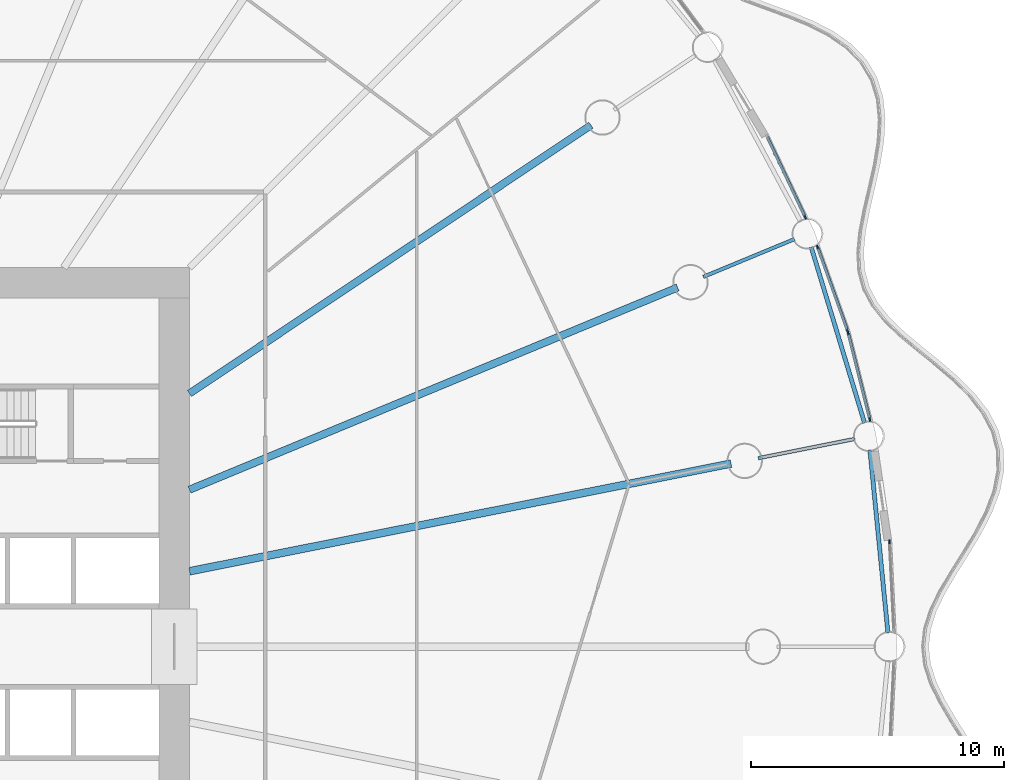
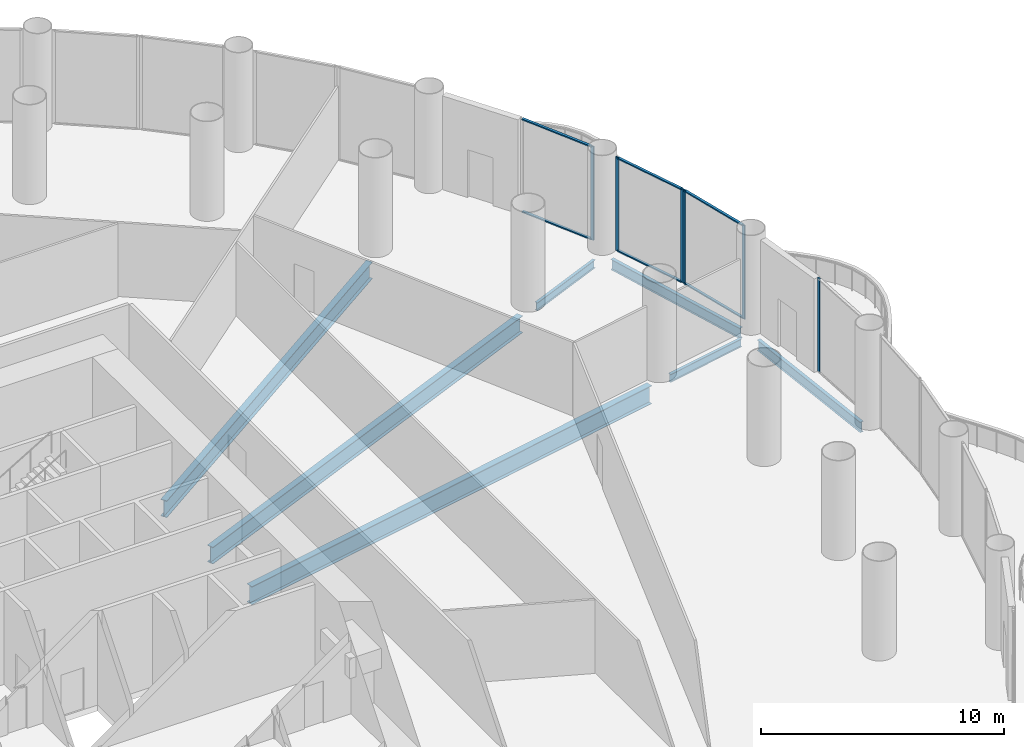
# One storey, part 13 of 35: 12 members, 7 beams, 4 elements without a shape of their own.
"""IFC4 building model written with IfcOpenShell, lengths in metres."""

from ifc_helpers import new_model, si_unit, direction, frame, origin, origin_2d, place, context, subcontext, project, spatial, rectangle, i_section, extrude, material, material_profile, profile_set, type_object, element, aggregate, save


model = new_model("IFC4")

# Units and contexts
model_context = context("Model", 3, precision=1e-05, world=origin(), true_north=direction((0.0, 1.0)))
body_context = subcontext(model_context, "Body", "Model", "MODEL_VIEW")
ifc_project = project(units=[si_unit("LENGTHUNIT", "METRE"), si_unit("AREAUNIT", "SQUARE_METRE"), si_unit("VOLUMEUNIT", "CUBIC_METRE"), si_unit("PLANEANGLEUNIT", "RADIAN"), si_unit("MASSUNIT", "GRAM", prefix="KILO")], contexts=[model_context])

# Site, building, storey
site_placement = place(None, origin())
site = spatial("IfcSite", under=ifc_project, at=site_placement, CompositionType="ELEMENT")
building_placement = place(site_placement, origin())
building = spatial("IfcBuilding", under=site, at=building_placement, Name="Corvane Civic Tower", CompositionType="ELEMENT")
storey_placement = place(building_placement, frame((0.0, 0.0, 22.0)))
storey = spatial("IfcBuildingStorey", under=building, at=storey_placement, Name="L04", CompositionType="ELEMENT", Elevation=22.0)

# Beams
ifc_material_1 = material(Name="Steel ASTM A992 Gr 50", Category="steel")
ifc_material_profile_1 = material_profile(ifc_material_1, i_section(OverallWidth=0.165771484375, OverallDepth=0.5283203125, WebThickness=0.009765625, FlangeThickness=0.013671875, at=origin_2d()), Name="W21X50")
ifc_profile_set_1 = profile_set([ifc_material_profile_1], Name="Steel ASTM A992 Gr 50")
beam_type_1 = type_object("IfcBeamType", Name="EDGE BEAM W21X50", PredefinedType="BEAM", material=ifc_profile_set_1)
for number, where, z_axis, x_axis, name in (
    (1, (39.609375, 15.814208984375, -0.564208984375), (0.290291633127, -0.956938225664, 0.0), (0.956938225664, 0.290291633127, 0.0), "BM-L04-E07"),
    (2, (41.93359375, 7.782958984375, -0.564208984375), (0.097984225478, -0.995187967953, 0.0), (0.995187967953, 0.097984225478, 0.0), "BM-L04-E08"),
):
    element("IfcBeam", number, at=place(storey_placement, frame(where, z_axis=z_axis, x_axis=x_axis)), inside=storey, type_object=beam_type_1, Name=name, PredefinedType="BEAM", context=body_context, shape_type="SweptSolid", body=[
        extrude(i_section(OverallWidth=0.165771484375, OverallDepth=0.5283203125, WebThickness=0.009765625, FlangeThickness=0.013671875, at=origin_2d()), origin(), (0.0, 0.0, 1.0), 7.2705078125),
    ])
ifc_material_2 = material(Name="Steel ASTM A992 Gr 50", Category="steel")
ifc_material_profile_2 = material_profile(ifc_material_2, i_section(OverallWidth=0.140380859375, OverallDepth=0.40380859375, WebThickness=0.007080078125, FlangeThickness=0.01123046875, at=origin_2d()), Name="W16X31")
ifc_profile_set_2 = profile_set([ifc_material_profile_2], Name="Steel ASTM A992 Gr 50")
beam_type_2 = type_object("IfcBeamType", Name="FLOOR GIRDER W16X31", PredefinedType="BEAM", material=ifc_profile_set_2)
for number, where, z_axis, x_axis, name in (
    (3, (35.33837890625, 14.6376953125, -0.501953125), (0.923878730261, 0.382685369162, 0.0), (-0.382685369162, 0.923878730261, 0.0), "BM-L04-G07b"),
    (4, (37.51513671875, 7.462158203125, -0.501953125), (0.980777614264, 0.195128858343, 0.0), (-0.195128858343, 0.980777614264, 0.0), "BM-L04-G08b"),
):
    element("IfcBeam", number, at=place(storey_placement, frame(where, z_axis=z_axis, x_axis=x_axis)), inside=storey, type_object=beam_type_2, Name=name, PredefinedType="BEAM", context=body_context, shape_type="SweptSolid", body=[
        extrude(i_section(OverallWidth=0.140380859375, OverallDepth=0.40380859375, WebThickness=0.007080078125, FlangeThickness=0.01123046875, at=origin_2d()), origin(), (0.0, 0.0, 1.0), 3.89990234375),
    ])
ifc_material_3 = material(Name="Steel ASTM A992 Gr 50", Category="steel")
ifc_material_profile_3 = material_profile(ifc_material_3, i_section(OverallWidth=0.2919921875, OverallDepth=0.845703125, WebThickness=0.015380859375, FlangeThickness=0.0244140625, at=origin_2d()), Name="W33X141")
ifc_profile_set_3 = profile_set([ifc_material_profile_3], Name="Steel ASTM A992 Gr 50")
beam_type_3 = type_object("IfcBeamType", Name="FLOOR GIRDER W33X141", PredefinedType="BEAM", material=ifc_profile_set_3)
beam_1_placement = place(storey_placement, frame((15.0, 10.022705078125, -0.722900390625), z_axis=(0.831471985418, 0.555566681385, 0.0), x_axis=(-0.555566681385, 0.831471985418, 0.0)))
element("IfcBeam", 5, at=beam_1_placement, inside=storey, type_object=beam_type_3, Name="BM-L04-G06", PredefinedType="BEAM", context=body_context, shape_type="SweptSolid", body=[
    extrude(i_section(OverallWidth=0.2919921875, OverallDepth=0.845703125, WebThickness=0.015380859375, FlangeThickness=0.0244140625, at=origin_2d()), origin(), (0.0, 0.0, 1.0), 19.109619140625),
])
beam_2_placement = place(storey_placement, frame((15.0, 6.213134765625, -0.722900390625), z_axis=(0.923875834355, 0.382692360381, 0.0), x_axis=(-0.382692360381, 0.923875834355, 0.0)))
element("IfcBeam", 6, at=beam_2_placement, inside=storey, type_object=beam_type_3, Name="BM-L04-G07", PredefinedType="BEAM", context=body_context, shape_type="SweptSolid", body=[
    extrude(i_section(OverallWidth=0.2919921875, OverallDepth=0.845703125, WebThickness=0.015380859375, FlangeThickness=0.0244140625, at=origin_2d()), origin(), (0.0, 0.0, 1.0), 20.9140625),
])
ifc_material_4 = material(Name="Steel ASTM A992 Gr 50", Category="steel")
ifc_material_profile_4 = material_profile(ifc_material_4, i_section(OverallWidth=0.3046875, OverallDepth=0.911865234375, WebThickness=0.015869140625, FlangeThickness=0.02392578125, at=origin_2d()), Name="W36X150")
ifc_profile_set_4 = profile_set([ifc_material_profile_4], Name="Steel ASTM A992 Gr 50")
beam_type_4 = type_object("IfcBeamType", Name="FLOOR GIRDER W36X150", PredefinedType="BEAM", material=ifc_profile_set_4)
beam_3_placement = place(storey_placement, frame((15.0, 2.983642578125, -0.755859375), z_axis=(0.980785499679, 0.195089219638, 0.0), x_axis=(-0.195089219638, 0.980785499679, 0.0)))
element("IfcBeam", 7, at=beam_3_placement, inside=storey, type_object=beam_type_4, Name="BM-L04-G08", PredefinedType="BEAM", context=body_context, shape_type="SweptSolid", body=[
    extrude(i_section(OverallWidth=0.3046875, OverallDepth=0.911865234375, WebThickness=0.015869140625, FlangeThickness=0.02392578125, at=origin_2d()), origin(), (0.0, 0.0, 1.0), 21.856201171875),
])

# Curtain wall, member
ifc_material_5 = material(Name="Aluminium and glass", Category="aluminium")
curtain_wall_type = type_object("IfcCurtainWallType", Name="PODIUM-CW-P-RUN", PredefinedType="NOTDEFINED", material=ifc_material_5)
curtain_wall_1_placement = place(storey_placement, origin())
curtain_wall_1 = element("IfcCurtainWall", 8, at=curtain_wall_1_placement, inside=storey, type_object=curtain_wall_type, Name="PODI run L04-drum-06B", PredefinedType="NOTDEFINED")
ifc_material_6 = material(Name="Anodised aluminium bronze", Category="aluminium")
ifc_material_profile_5 = material_profile(ifc_material_6, rectangle(XDim=0.06005859375, YDim=0.159912109375, at=origin_2d()), Name="AL 60x160")
ifc_profile_set_5 = profile_set([ifc_material_profile_5], Name="Anodised aluminium bronze")
member_type_1 = type_object("IfcMemberType", Name="PODIUM-CWP-MULLION-60x160", PredefinedType="MULLION", material=ifc_profile_set_5)
member_1_placement = place(storey_placement, frame((39.36767578125, 17.00439453125, 0.0), z_axis=(0.0, 0.0, 1.0), x_axis=(0.903990222454, 0.42755312852, 0.0)))
member_1 = element("IfcMember", 9, at=member_1_placement, type_object=member_type_1, Name="CW-P mullion 2", PredefinedType="MULLION", context=body_context, shape_type="SweptSolid", body=[
    extrude(rectangle(XDim=0.06005859375, YDim=0.159912109375, at=origin_2d()), origin(), (0.0, 0.0, 1.0), 4.699951171875),
])

# Curtain wall, members
curtain_wall_2_placement = place(storey_placement, origin())
curtain_wall_2 = element("IfcCurtainWall", 10, at=curtain_wall_2_placement, inside=storey, type_object=curtain_wall_type, Name="PODI run L04-drum-07A", PredefinedType="NOTDEFINED")
member_2_placement = place(storey_placement, frame((39.861083984375, 15.81298828125, 0.0), z_axis=(0.0, 0.0, 1.0), x_axis=(0.941533802561, 0.336918534123, 0.0)))
member_2 = element("IfcMember", 11, at=member_2_placement, type_object=member_type_1, Name="CW-P mullion 1", PredefinedType="MULLION", context=body_context, shape_type="SweptSolid", body=[
    extrude(rectangle(XDim=0.06005859375, YDim=0.159912109375, at=origin_2d()), origin(), (0.0, 0.0, 1.0), 4.699951171875),
])
member_3_placement = place(storey_placement, frame((41.046875, 12.4990234375, 0.0), z_axis=(0.0, 0.0, 1.0), x_axis=(0.941533802561, 0.336918534123, 0.0)))
member_3 = element("IfcMember", 12, at=member_3_placement, type_object=member_type_1, Name="CW-P mullion 2", PredefinedType="MULLION", context=body_context, shape_type="SweptSolid", body=[
    extrude(rectangle(XDim=0.06005859375, YDim=0.159912109375, at=origin_2d()), origin(), (0.0, 0.0, 1.0), 4.699951171875),
])

curtain_wall_3_placement = place(storey_placement, origin())
curtain_wall_3 = element("IfcCurtainWall", 13, at=curtain_wall_3_placement, inside=storey, type_object=curtain_wall_type, Name="PODI run L04-drum-07B", PredefinedType="NOTDEFINED")
member_4_placement = place(storey_placement, frame((41.0732421875, 12.411865234375, 0.0), z_axis=(0.0, 0.0, 1.0), x_axis=(0.970024070659, 0.243008852393, 0.0)))
member_4 = element("IfcMember", 14, at=member_4_placement, type_object=member_type_1, Name="CW-P mullion 1", PredefinedType="MULLION", context=body_context, shape_type="SweptSolid", body=[
    extrude(rectangle(XDim=0.06005859375, YDim=0.159912109375, at=origin_2d()), origin(), (0.0, 0.0, 1.0), 4.699951171875),
])
member_5_placement = place(storey_placement, frame((41.9287109375, 8.99755859375, 0.0), z_axis=(0.0, 0.0, 1.0), x_axis=(0.970024070659, 0.243008852393, 0.0)))
member_5 = element("IfcMember", 15, at=member_5_placement, type_object=member_type_1, Name="CW-P mullion 2", PredefinedType="MULLION", context=body_context, shape_type="SweptSolid", body=[
    extrude(rectangle(XDim=0.06005859375, YDim=0.159912109375, at=origin_2d()), origin(), (0.0, 0.0, 1.0), 4.699951171875),
])

# Curtain wall, member
curtain_wall_4_placement = place(storey_placement, origin())
curtain_wall_4 = element("IfcCurtainWall", 16, at=curtain_wall_4_placement, inside=storey, type_object=curtain_wall_type, Name="PODI run L04-drum-08B", PredefinedType="NOTDEFINED")
member_6_placement = place(storey_placement, frame((42.70556640625, 4.16064453125, 0.0), z_axis=(0.0, 0.0, 1.0), x_axis=(0.998796316803, 0.04905015332, 0.0)))
member_6 = element("IfcMember", 17, at=member_6_placement, type_object=member_type_1, Name="CW-P mullion 1", PredefinedType="MULLION", context=body_context, shape_type="SweptSolid", body=[
    extrude(rectangle(XDim=0.06005859375, YDim=0.159912109375, at=origin_2d()), origin(), (0.0, 0.0, 1.0), 4.699951171875),
])
aggregate(curtain_wall_4, [member_6])

# Member
ifc_material_7 = material(Name="Anodised aluminium bronze", Category="aluminium")
ifc_material_profile_6 = material_profile(ifc_material_7, rectangle(XDim=0.1201171875, YDim=0.06005859375, at=origin_2d()), Name="AL 120x60")
ifc_profile_set_6 = profile_set([ifc_material_profile_6], Name="Anodised aluminium bronze")
member_type_2 = type_object("IfcMemberType", Name="PODIUM-CWP-TRANSOM-60x120", PredefinedType="USERDEFINED", material=ifc_profile_set_6)
member_7_placement = place(storey_placement, frame((37.87548828125, 20.1591796875, 0.030029296875), z_axis=(0.427546343166, -0.903993431638, 0.0), x_axis=(0.903993431638, 0.427546343166, 0.0)))
member_7 = element("IfcMember", 18, at=member_7_placement, type_object=member_type_2, Name="CW-P transom 1.1", ObjectType="TRANSOM", PredefinedType="USERDEFINED", context=body_context, shape_type="SweptSolid", body=[
    extrude(rectangle(XDim=0.1201171875, YDim=0.06005859375, at=origin_2d()), origin(), (0.0, 0.0, 1.0), 3.4599609375),
])

member_8_placement = place(storey_placement, frame((37.87548828125, 20.1591796875, 4.669921875), z_axis=(0.427546343166, -0.903993431638, 0.0), x_axis=(0.903993431638, 0.427546343166, 0.0)))
member_8 = element("IfcMember", 19, at=member_8_placement, type_object=member_type_2, Name="CW-P transom 1.2", ObjectType="TRANSOM", PredefinedType="USERDEFINED", context=body_context, shape_type="SweptSolid", body=[
    extrude(rectangle(XDim=0.1201171875, YDim=0.06005859375, at=origin_2d()), origin(), (0.0, 0.0, 1.0), 3.4599609375),
])

aggregate(curtain_wall_1, [member_1, member_7, member_8])

member_9_placement = place(storey_placement, frame((39.87109375, 15.78466796875, 0.030029296875), z_axis=(0.336939787896, -0.941526196838, 0.0), x_axis=(0.941526196838, 0.336939787896, 0.0)))
member_9 = element("IfcMember", 20, at=member_9_placement, type_object=member_type_2, Name="CW-P transom 1.1", ObjectType="TRANSOM", PredefinedType="USERDEFINED", context=body_context, shape_type="SweptSolid", body=[
    extrude(rectangle(XDim=0.1201171875, YDim=0.06005859375, at=origin_2d()), origin(), (0.0, 0.0, 1.0), 3.4599609375),
])

member_10_placement = place(storey_placement, frame((39.87109375, 15.78466796875, 4.669921875), z_axis=(0.336939787896, -0.941526196838, 0.0), x_axis=(0.941526196838, 0.336939787896, 0.0)))
member_10 = element("IfcMember", 21, at=member_10_placement, type_object=member_type_2, Name="CW-P transom 1.2", ObjectType="TRANSOM", PredefinedType="USERDEFINED", context=body_context, shape_type="SweptSolid", body=[
    extrude(rectangle(XDim=0.1201171875, YDim=0.06005859375, at=origin_2d()), origin(), (0.0, 0.0, 1.0), 3.4599609375),
])

aggregate(curtain_wall_2, [member_2, member_3, member_9, member_10])

member_11_placement = place(storey_placement, frame((41.08056640625, 12.3828125, 0.030029296875), z_axis=(0.243017080124, -0.970022009425, 0.0), x_axis=(0.970022009425, 0.243017080124, 0.0)))
member_11 = element("IfcMember", 22, at=member_11_placement, type_object=member_type_2, Name="CW-P transom 1.1", ObjectType="TRANSOM", PredefinedType="USERDEFINED", context=body_context, shape_type="SweptSolid", body=[
    extrude(rectangle(XDim=0.1201171875, YDim=0.06005859375, at=origin_2d()), origin(), (0.0, 0.0, 1.0), 3.4599609375),
])

member_12_placement = place(storey_placement, frame((41.08056640625, 12.3828125, 4.669921875), z_axis=(0.243017080124, -0.970022009425, 0.0), x_axis=(0.970022009425, 0.243017080124, 0.0)))
member_12 = element("IfcMember", 23, at=member_12_placement, type_object=member_type_2, Name="CW-P transom 1.2", ObjectType="TRANSOM", PredefinedType="USERDEFINED", context=body_context, shape_type="SweptSolid", body=[
    extrude(rectangle(XDim=0.1201171875, YDim=0.06005859375, at=origin_2d()), origin(), (0.0, 0.0, 1.0), 3.4599609375),
])

aggregate(curtain_wall_3, [member_4, member_5, member_11, member_12])

save(model, "model.ifc")
